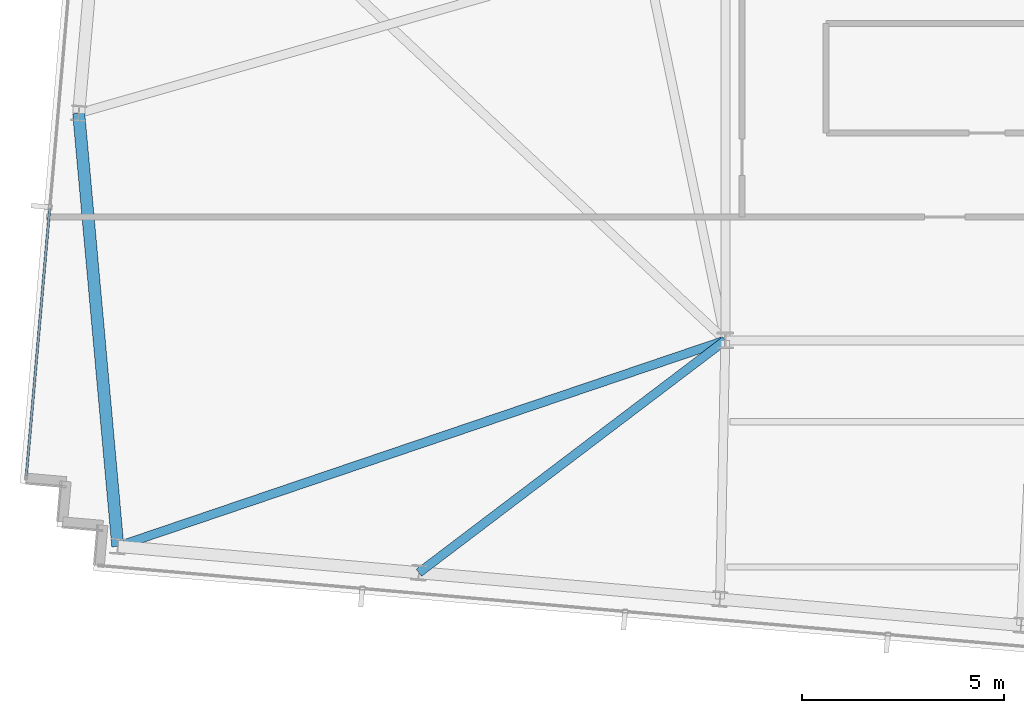
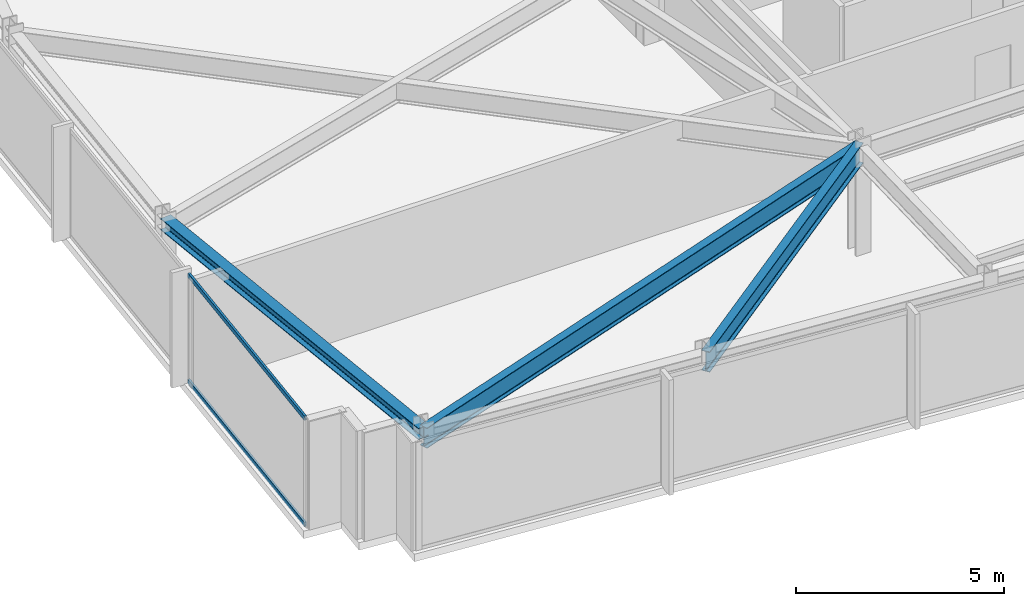
# One storey, part 4 of 32: 3 beams, 2 members, 1 element without a shape of its own.
"""IFC4 building model written with IfcOpenShell, lengths in metres."""

from ifc_helpers import new_model, si_unit, direction, frame, origin, origin_2d, place, context, subcontext, project, spatial, hollow_rectangle, i_section, extrude, material, material_profile, profile_set, type_object, element, aggregate, save


model = new_model("IFC4")

# Units and contexts
model_context = context("Model", 3, precision=1e-05, world=origin(), true_north=direction((0.0, 1.0)))
body_context = subcontext(model_context, "Body", "Model", "MODEL_VIEW")
ifc_project = project(units=[si_unit("LENGTHUNIT", "METRE"), si_unit("AREAUNIT", "SQUARE_METRE"), si_unit("VOLUMEUNIT", "CUBIC_METRE"), si_unit("PLANEANGLEUNIT", "RADIAN"), si_unit("MASSUNIT", "GRAM", prefix="KILO")], contexts=[model_context])

# Site, building, storey
site_placement = place(None, origin())
site = spatial("IfcSite", under=ifc_project, at=site_placement, CompositionType="ELEMENT")
building_placement = place(site_placement, origin())
building = spatial("IfcBuilding", under=site, at=building_placement, Name="Yelkora Congress Tower", CompositionType="ELEMENT")
storey_placement = place(building_placement, frame((0.0, 0.0, 272.699951171875)))
storey = spatial("IfcBuildingStorey", under=building, at=storey_placement, Name="L76", CompositionType="ELEMENT", Elevation=272.699951171875)

# Beams
ifc_material_1 = material(Name="Steel S355J2", Category="steel")
ifc_material_profile_1 = material_profile(ifc_material_1, i_section(OverallWidth=0.219970703125, OverallDepth=0.60009765625, WebThickness=0.011962890625, FlangeThickness=0.01904296875, FilletRadius=0.02392578125, at=origin_2d()), Name="IPE 600")
ifc_profile_set_1 = profile_set([ifc_material_profile_1], Name="Steel S355J2")
beam_type_1 = type_object("IfcBeamType", Name="BM-GIRD-IPE600", PredefinedType="BEAM", material=ifc_profile_set_1)
beam_1_placement = place(storey_placement, frame((7.998046875, 20.097900390625, 2.880126953125), z_axis=(0.947007090502, 0.321212656257, 0.0), x_axis=(-0.321212656257, 0.947007090502, 0.0)))
element("IfcBeam", 1, at=beam_1_placement, inside=storey, type_object=beam_type_1, Name="L76 Primary Frame Girder S01", PredefinedType="BEAM", context=body_context, shape_type="SweptSolid", body=[
    extrude(i_section(OverallWidth=0.219970703125, OverallDepth=0.60009765625, WebThickness=0.011962890625, FlangeThickness=0.01904296875, FilletRadius=0.02392578125, at=origin_2d()), origin(), (0.0, 0.0, 1.0), 15.8837890625),
])
beam_2_placement = place(storey_placement, frame((15.452880859375, 19.445556640625, 2.880126953125), z_axis=(0.79676107913, 0.6042944504, 0.0), x_axis=(-0.6042944504, 0.79676107913, 0.0)))
element("IfcBeam", 2, at=beam_2_placement, inside=storey, type_object=beam_type_1, Name="L76 Primary Frame Girder S02", PredefinedType="BEAM", context=body_context, shape_type="SweptSolid", body=[
    extrude(i_section(OverallWidth=0.219970703125, OverallDepth=0.60009765625, WebThickness=0.011962890625, FlangeThickness=0.01904296875, FilletRadius=0.02392578125, at=origin_2d()), origin(), (0.0, 0.0, 1.0), 9.5224609375),
])
ifc_material_profile_2 = material_profile(ifc_material_1, i_section(OverallWidth=0.300048828125, OverallDepth=0.340087890625, WebThickness=0.011962890625, FlangeThickness=0.021484375, FilletRadius=0.027099609375, at=origin_2d()), Name="HEB 340")
ifc_profile_set_2 = profile_set([ifc_material_profile_2], Name="Steel S355J2")
beam_type_2 = type_object("IfcBeamType", Name="BM-SPAN-HEB340", PredefinedType="SPANDREL", material=ifc_profile_set_2)
beam_3_placement = place(storey_placement, frame((7.029052734375, 30.822998046875, 3.010009765625), z_axis=(0.08998177561, -0.995943412076, 0.0), x_axis=(0.995943412076, 0.08998177561, 0.0)))
element("IfcBeam", 3, at=beam_3_placement, inside=storey, type_object=beam_type_2, Name="L76 Perimeter Beam 15", PredefinedType="SPANDREL", context=body_context, shape_type="SweptSolid", body=[
    extrude(i_section(OverallWidth=0.300048828125, OverallDepth=0.340087890625, WebThickness=0.011962890625, FlangeThickness=0.021484375, FilletRadius=0.027099609375, at=origin_2d()), origin(), (0.0, 0.0, 1.0), 10.768798828125),
])

# Curtain wall, members
ifc_material_2 = material(Name="Anodised aluminium and insulated glass", Category="aluminium")
curtain_wall_type = type_object("IfcCurtainWallType", Name="CW-SYS-B5", PredefinedType="NOTDEFINED", material=ifc_material_2)
curtain_wall_placement = place(storey_placement, origin())
curtain_wall = element("IfcCurtainWall", 4, at=curtain_wall_placement, inside=storey, type_object=curtain_wall_type, Name="L76 Unitised Curtain Wall 5", PredefinedType="NOTDEFINED")
ifc_material_3 = material(Name="Anodised aluminium 6063-T6", Category="aluminium")
ifc_material_profile_3 = material_profile(ifc_material_3, hollow_rectangle(XDim=0.06005859375, YDim=0.1298828125, WallThickness=0.00390625, at=origin_2d()), Name="ALU 60x130x4")
ifc_profile_set_3 = profile_set([ifc_material_profile_3], Name="Anodised aluminium 6063-T6")
member_type = type_object("IfcMemberType", Name="MEM-TR-B5", PredefinedType="USERDEFINED", material=ifc_profile_set_3)
member_1_placement = place(storey_placement, frame((5.732666015625, 21.85693359375, 0.030029296875), z_axis=(0.08716649365, 0.996193757451, 0.0), x_axis=(-0.996193757451, 0.08716649365, 0.0)))
member_1 = element("IfcMember", 5, at=member_1_placement, type_object=member_type, Name="CW-B5 transom 1.1", ObjectType="TRANSOM", PredefinedType="USERDEFINED", context=body_context, shape_type="SweptSolid", body=[
    extrude(hollow_rectangle(XDim=0.06005859375, YDim=0.1298828125, WallThickness=0.00390625, at=origin_2d()), origin(), (0.0, 0.0, 1.0), 6.63232421875),
])
member_2_placement = place(storey_placement, frame((5.732666015625, 21.85693359375, 3.150146484375), z_axis=(0.08716649365, 0.996193757451, 0.0), x_axis=(-0.996193757451, 0.08716649365, 0.0)))
member_2 = element("IfcMember", 6, at=member_2_placement, type_object=member_type, Name="CW-B5 transom 1.2", ObjectType="TRANSOM", PredefinedType="USERDEFINED", context=body_context, shape_type="SweptSolid", body=[
    extrude(hollow_rectangle(XDim=0.06005859375, YDim=0.1298828125, WallThickness=0.00390625, at=origin_2d()), origin(), (0.0, 0.0, 1.0), 6.63232421875),
])
aggregate(curtain_wall, [member_1, member_2])

save(model, "model.ifc")
